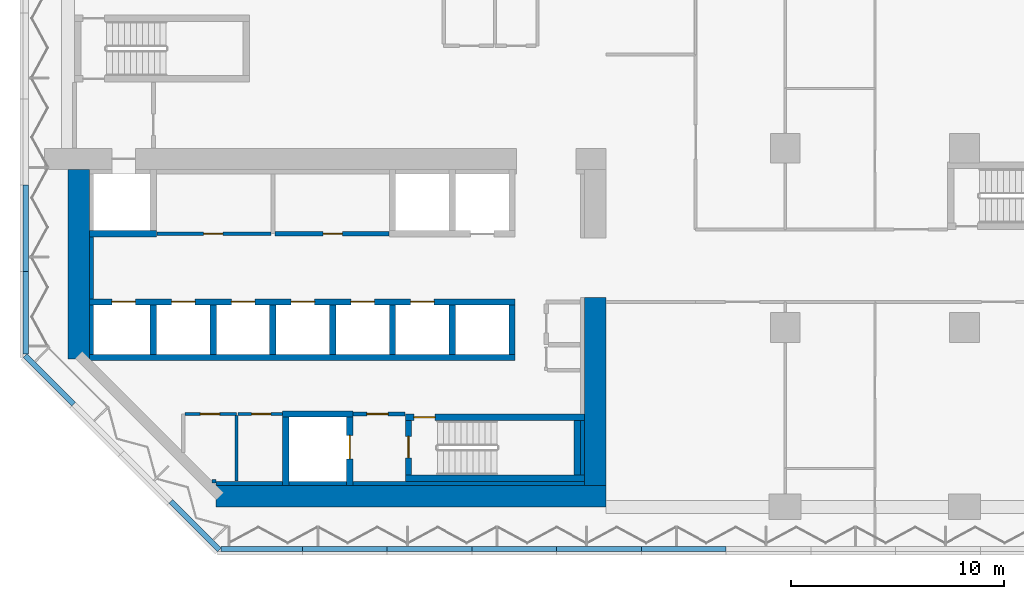
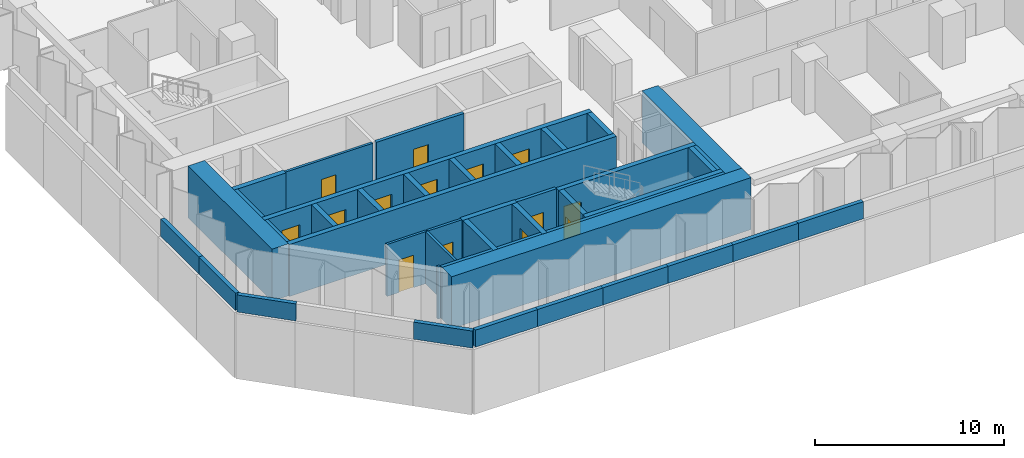
# One storey, part 9 of 24: 43 walls, 14 doors, 14 openings.
"""IFC4 building model written with IfcOpenShell, lengths in metres."""

from ifc_helpers import new_model, si_unit, direction, frame, frame_2d, origin, place, context, subcontext, project, spatial, rectangle, extrude, material, layer, layer_set, type_object, element, fill, save


model = new_model("IFC4")

# Units and contexts
model_context = context("Model", 3, precision=1e-05, world=origin(), true_north=direction((0.0, 1.0)))
body_context = subcontext(model_context, "Body", "Model", "MODEL_VIEW")
ifc_project = project(units=[si_unit("LENGTHUNIT", "METRE"), si_unit("AREAUNIT", "SQUARE_METRE"), si_unit("VOLUMEUNIT", "CUBIC_METRE"), si_unit("PLANEANGLEUNIT", "RADIAN"), si_unit("MASSUNIT", "GRAM", prefix="KILO")], contexts=[model_context])

# Site, building, storey
site_placement = place(None, origin())
site = spatial("IfcSite", under=ifc_project, at=site_placement, CompositionType="ELEMENT")
building_placement = place(site_placement, origin())
building = spatial("IfcBuilding", under=site, at=building_placement, Name="Brevane Broadcast Tower", CompositionType="ELEMENT")
storey_placement = place(building_placement, frame((0.0, 0.0, 36.5)))
storey = spatial("IfcBuildingStorey", under=building, at=storey_placement, Name="L06", CompositionType="ELEMENT", Elevation=36.5)

# Walls
ifc_material_1 = material(Name="Concrete C50/60", Category="concrete")
ifc_layer_1 = layer(ifc_material_1, 0.25)
ifc_layer_set_1 = layer_set([ifc_layer_1], Name="CORNICE PARAPET 1100")
wall_type_1 = type_object("IfcWallType", Name="CORNICE PARAPET 1100", PredefinedType="PARAPET", material=ifc_layer_set_1)
wall_1_placement = place(storey_placement, frame((30.8291015625, -1.97509765625, 0.0), z_axis=(0.0, 0.0, 1.0), x_axis=(-1.0, 0.0, 0.0)))
element("IfcWall", 1, at=wall_1_placement, inside=storey, type_object=wall_type_1, Name="Cornice parapet", PredefinedType="PARAPET", context=body_context, shape_type="SweptSolid", body=[
    extrude(rectangle(XDim=3.97119140625, YDim=0.25, at=frame_2d((1.985595703125, 0.0))), origin(), (0.0, 0.0, 1.0), 1.10009765625),
])
for number, where, z_axis, x_axis, name in (
    (2, (26.85791015625, -1.97509765625, 0.0), (0.0, 0.0, 1.0), (-1.0, 0.0, 0.0), "Cornice parapet"),
    (3, (22.886962890625, -1.97509765625, 0.0), (0.0, 0.0, 1.0), (-1.0, 0.0, 0.0), "Cornice parapet"),
    (4, (18.916015625, -1.97509765625, 0.0), (0.0, 0.0, 1.0), (-1.0, 0.0, 0.0), "Cornice parapet"),
    (5, (14.945068359375, -1.97509765625, 0.0), (0.0, 0.0, 1.0), (-1.0, 0.0, 0.0), "Cornice parapet"),
):
    element("IfcWall", number, at=place(storey_placement, frame(where, z_axis=z_axis, x_axis=x_axis)), inside=storey, type_object=wall_type_1, Name=name, PredefinedType="PARAPET", context=body_context, shape_type="SweptSolid", body=[
        extrude(rectangle(XDim=3.970947265625, YDim=0.25, at=frame_2d((1.9853515625, 0.0))), origin(), (0.0, 0.0, 1.0), 1.10009765625),
    ])
wall_2_placement = place(storey_placement, frame((10.97412109375, -1.97509765625, 0.0), z_axis=(0.0, 0.0, 1.0), x_axis=(-1.0, 0.0, 0.0)))
element("IfcWall", 6, at=wall_2_placement, inside=storey, type_object=wall_type_1, Name="Cornice parapet", PredefinedType="PARAPET", context=body_context, shape_type="SweptSolid", body=[
    extrude(rectangle(XDim=3.80126953125, YDim=0.25, at=frame_2d((1.900634765625, 0.0))), origin(), (0.0, 0.0, 1.0), 1.10009765625),
])
for number, where, z_axis, x_axis, name in (
    (7, (7.09130859375, -2.01171875, 0.0), (0.0, 0.0, 1.0), (-0.707068851361, 0.707144708978, 0.0), "Cornice parapet"),
    (8, (0.26416015625, 4.815673828125, 0.0), (0.0, 0.0, 1.0), (-0.707144708978, 0.707068851361, 0.0), "Cornice parapet"),
):
    element("IfcWall", number, at=place(storey_placement, frame(where, z_axis=z_axis, x_axis=x_axis)), inside=storey, type_object=wall_type_1, Name=name, PredefinedType="PARAPET", context=body_context, shape_type="SweptSolid", body=[
        extrude(rectangle(XDim=3.218505859375, YDim=0.25, at=frame_2d((1.609375, 0.0))), origin(), (0.0, 0.0, 1.0), 1.10009765625),
    ])
wall_3_placement = place(storey_placement, frame((-1.97509765625, 7.1728515625, 0.0), z_axis=(0.0, 0.0, 1.0), x_axis=(0.0, 1.0, 0.0)))
element("IfcWall", 9, at=wall_3_placement, inside=storey, type_object=wall_type_1, Name="Cornice parapet", PredefinedType="PARAPET", context=body_context, shape_type="SweptSolid", body=[
    extrude(rectangle(XDim=3.863037109375, YDim=0.25, at=frame_2d((1.931640625, 0.0))), origin(), (0.0, 0.0, 1.0), 1.10009765625),
])
wall_4_placement = place(storey_placement, frame((-1.97509765625, 11.035888671875, 0.0), z_axis=(0.0, 0.0, 1.0), x_axis=(0.0, 1.0, 0.0)))
element("IfcWall", 10, at=wall_4_placement, inside=storey, type_object=wall_type_1, Name="Cornice parapet", PredefinedType="PARAPET", context=body_context, shape_type="SweptSolid", body=[
    extrude(rectangle(XDim=4.03271484375, YDim=0.25, at=frame_2d((2.016357421875, 0.0))), origin(), (0.0, 0.0, 1.0), 1.10009765625),
])
ifc_material_2 = material(Name="Concrete C32/40", Category="concrete")
ifc_layer_2 = layer(ifc_material_2, 0.199951171875)
ifc_layer_set_2 = layer_set([ifc_layer_2], Name="Core chase wall 200 mm")
wall_type_2 = type_object("IfcWallType", Name="Core chase wall 200 mm", PredefinedType="PARTITIONING", material=ifc_layer_set_2)
wall_5_placement = place(storey_placement, frame((1.10009765625, 7.14990234375, 0.0), z_axis=(0.0, 0.0, 1.0), x_axis=(0.0, 1.0, 0.0)))
element("IfcWall", 11, at=wall_5_placement, inside=storey, type_object=wall_type_2, Name="L06 chase wall LW-2-1", PredefinedType="PARTITIONING", context=body_context, shape_type="SweptSolid", body=[
    extrude(rectangle(XDim=2.300048828125, YDim=0.199951171875, at=frame_2d((1.14990234375, 0.0))), origin(), (0.0, 0.0, 1.0), 3.35009765625),
])
wall_6_placement = place(storey_placement, frame((1.10009765625, 9.75, 0.0), z_axis=(0.0, 0.0, 1.0), x_axis=(0.0, 1.0, 0.0)))
element("IfcWall", 12, at=wall_6_placement, inside=storey, type_object=wall_type_2, Name="L06 chase wall LW-2-2-1", PredefinedType="PARTITIONING", context=body_context, shape_type="SweptSolid", body=[
    extrude(rectangle(XDim=2.89990234375, YDim=0.199951171875, at=frame_2d((1.449951171875, 0.0))), origin(), (0.0, 0.0, 1.0), 3.35009765625),
])
wall_7_placement = place(storey_placement, frame((6.936279296875, 1.10009765625, 0.0), z_axis=(0.0, 0.0, 1.0), x_axis=(1.0, 0.0, 0.0)))
element("IfcWall", 13, at=wall_7_placement, inside=storey, type_object=wall_type_2, Name="L06 chase wall LS-1", PredefinedType="PARTITIONING", context=body_context, shape_type="SweptSolid", body=[
    extrude(rectangle(XDim=3.11376953125, YDim=0.199951171875, at=frame_2d((1.556884765625, 0.0))), origin(), (0.0, 0.0, 1.0), 3.35009765625),
])
wall_8_placement = place(storey_placement, frame((10.35009765625, 1.10009765625, 0.0), z_axis=(0.0, 0.0, 1.0), x_axis=(1.0, 0.0, 0.0)))
element("IfcWall", 14, at=wall_8_placement, inside=storey, type_object=wall_type_2, Name="L06 chase wall LS-2-1", PredefinedType="PARTITIONING", context=body_context, shape_type="SweptSolid", body=[
    extrude(rectangle(XDim=2.699951171875, YDim=0.199951171875, at=frame_2d((1.35009765625, 0.0))), origin(), (0.0, 0.0, 1.0), 3.35009765625),
])
wall_9_placement = place(storey_placement, frame((13.35009765625, 1.10009765625, 0.0), z_axis=(0.0, 0.0, 1.0), x_axis=(1.0, 0.0, 0.0)))
element("IfcWall", 15, at=wall_9_placement, inside=storey, type_object=wall_type_2, Name="L06 chase wall LS-2-2", PredefinedType="PARTITIONING", context=body_context, shape_type="SweptSolid", body=[
    extrude(rectangle(XDim=10.849853515625, YDim=0.199951171875, at=frame_2d((5.4248046875, 0.0))), origin(), (0.0, 0.0, 1.0), 3.35009765625),
])
wall_10_placement = place(storey_placement, frame((24.10009765625, 1.5, 0.0), z_axis=(0.0, 0.0, 1.0), x_axis=(0.0, 1.0, 0.0)))
element("IfcWall", 16, at=wall_10_placement, inside=storey, type_object=wall_type_2, Name="L06 chase wall LE1-2-1", PredefinedType="PARTITIONING", context=body_context, shape_type="SweptSolid", body=[
    extrude(rectangle(XDim=2.550048828125, YDim=0.199951171875, at=frame_2d((1.27490234375, 0.0))), origin(), (0.0, 0.0, 1.0), 3.35009765625),
])

# Wall, opening, door
ifc_material_3 = material(Name="Gypsum board on steel studs", Category="steel")
ifc_layer_3 = layer(ifc_material_3, 0.14990234375)
ifc_layer_set_3 = layer_set([ifc_layer_3], Name="Core fire partition 150 mm")
wall_type_3 = type_object("IfcWallType", Name="Core fire partition 150 mm", PredefinedType="PARTITIONING", material=ifc_layer_set_3)
wall_11_placement = place(storey_placement, frame((4.162109375, 12.800048828125, 0.0), z_axis=(0.0, 0.0, 1.0), x_axis=(1.0, 0.0, 0.0)))
wall_11 = element("IfcWall", 17, at=wall_11_placement, inside=storey, type_object=wall_type_3, Name="L06 partition wall P09", PredefinedType="PARTITIONING", context=body_context, shape_type="SweptSolid", body=[
    extrude(rectangle(XDim=5.337890625, YDim=0.14990234375, at=frame_2d((2.6689453125, 0.0))), origin(), (0.0, 0.0, 1.0), 3.35009765625),
])
opening_1_placement = place(wall_11_placement, frame((2.18798828125, 0.0, 0.0)))
opening_1 = element("IfcOpeningElement", 18, at=opening_1_placement, cuts=wall_11, Name="Opening L06-K21", PredefinedType="OPENING", context=body_context, shape_type="SweptSolid", body=[
    extrude(rectangle(XDim=0.89990234375, YDim=2.10009765625, at=frame_2d((0.449951171875, 1.050048828125))), frame((0.0, 0.0849609375, 0.0), z_axis=(0.0, -1.0, 0.0), x_axis=(1.0, 0.0, 0.0)), (0.0, 0.0, 1.0), 0.169921875),
])
ifc_material_4 = material(Name="Steel", Category="steel")
door_type_1 = type_object("IfcDoorType", Name="Service room door 900 x 2100", OperationType="SINGLE_SWING_LEFT", PredefinedType="DOOR", material=ifc_material_4)
door_1_placement = place(opening_1_placement, origin())
door_1 = element("IfcDoor", 19, at=door_1_placement, inside=storey, type_object=door_type_1, Name="Door L06-K21", OperationType="SINGLE_SWING_LEFT", OverallHeight=2.10009765625, OverallWidth=0.89990234375, PredefinedType="DOOR", context=body_context, shape_type="SweptSolid", body=[
    extrude(rectangle(XDim=0.89990234375, YDim=2.10009765625, at=frame_2d((0.449951171875, 1.050048828125))), frame((0.0, 0.02490234375, 0.0), z_axis=(0.0, -1.0, 0.0), x_axis=(1.0, 0.0, 0.0)), (0.0, 0.0, 1.0), 0.050048828125),
])
fill(opening_1, door_1)

wall_12_placement = place(storey_placement, frame((5.47509765625, 4.35009765625, 0.0), z_axis=(0.0, 0.0, 1.0), x_axis=(1.0, 0.0, 0.0)))
wall_12 = element("IfcWall", 20, at=wall_12_placement, inside=storey, type_object=wall_type_3, Name="L06 partition wall P11", PredefinedType="PARTITIONING", context=body_context, shape_type="SweptSolid", body=[
    extrude(rectangle(XDim=2.4248046875, YDim=0.14990234375, at=frame_2d((1.21240234375, 0.0))), origin(), (0.0, 0.0, 1.0), 3.35009765625),
])
opening_2_placement = place(wall_12_placement, frame((0.72509765625, 0.0, 0.0)))
opening_2 = element("IfcOpeningElement", 21, at=opening_2_placement, cuts=wall_12, Name="Opening L06-K16", PredefinedType="OPENING", context=body_context, shape_type="SweptSolid", body=[
    extrude(rectangle(XDim=0.89990234375, YDim=2.10009765625, at=frame_2d((0.449951171875, 1.050048828125))), frame((0.0, 0.0849609375, 0.0), z_axis=(0.0, -1.0, 0.0), x_axis=(1.0, 0.0, 0.0)), (0.0, 0.0, 1.0), 0.169921875),
])
ifc_material_5 = material(Name="Timber", Category="wood")
door_type_2 = type_object("IfcDoorType", Name="Toilet door 900 x 2100", OperationType="SINGLE_SWING_LEFT", PredefinedType="DOOR", material=ifc_material_5)
door_2_placement = place(opening_2_placement, origin())
door_2 = element("IfcDoor", 22, at=door_2_placement, inside=storey, type_object=door_type_2, Name="Door L06-K16", OperationType="SINGLE_SWING_RIGHT", OverallHeight=2.10009765625, OverallWidth=0.89990234375, PredefinedType="DOOR", context=body_context, shape_type="SweptSolid", body=[
    extrude(rectangle(XDim=0.89990234375, YDim=2.10009765625, at=frame_2d((0.449951171875, 1.050048828125))), frame((0.0, 0.02490234375, 0.0), z_axis=(0.0, -1.0, 0.0), x_axis=(1.0, 0.0, 0.0)), (0.0, 0.0, 1.0), 0.050048828125),
])
fill(opening_2, door_2)

# Walls
wall_13_placement = place(storey_placement, frame((7.89990234375, 4.27490234375, 0.0), z_axis=(0.0, 0.0, 1.0), x_axis=(0.0, -1.0, 0.0)))
element("IfcWall", 23, at=wall_13_placement, inside=storey, type_object=wall_type_3, Name="L06 partition wall P12", PredefinedType="PARTITIONING", context=body_context, shape_type="SweptSolid", body=[
    extrude(rectangle(XDim=3.06298828125, YDim=0.14990234375, at=frame_2d((1.531494140625, 0.0))), origin(), (0.0, 0.0, 1.0), 3.35009765625),
])
wall_14_placement = place(storey_placement, frame((6.92431640625, 1.199951171875, 0.0), z_axis=(0.0, 0.0, 1.0), x_axis=(-1.0, 0.0, 0.0)))
element("IfcWall", 24, at=wall_14_placement, inside=storey, type_object=wall_type_3, Name="L06 partition wall P13", PredefinedType="PARTITIONING", context=body_context, shape_type="SweptSolid", body=[
    extrude(rectangle(XDim=0.1708984375, YDim=0.14990234375, at=frame_2d((0.08544921875, 0.0))), origin(), (0.0, 0.0, 1.0), 3.35009765625),
])

# Wall, opening, door
wall_15_placement = place(storey_placement, frame((10.0380859375, 4.35009765625, 0.0), z_axis=(0.0, 0.0, 1.0), x_axis=(-1.0, 0.0, 0.0)))
wall_15 = element("IfcWall", 25, at=wall_15_placement, inside=storey, type_object=wall_type_3, Name="L06 partition wall P14", PredefinedType="PARTITIONING", context=body_context, shape_type="SweptSolid", body=[
    extrude(rectangle(XDim=2.06298828125, YDim=0.14990234375, at=frame_2d((1.031494140625, 0.0))), origin(), (0.0, 0.0, 1.0), 3.35009765625),
])
opening_3_placement = place(wall_15_placement, frame((0.5380859375, 0.0, 0.0)))
opening_3 = element("IfcOpeningElement", 26, at=opening_3_placement, cuts=wall_15, Name="Opening L06-K17", PredefinedType="OPENING", context=body_context, shape_type="SweptSolid", body=[
    extrude(rectangle(XDim=0.89990234375, YDim=2.10009765625, at=frame_2d((0.449951171875, 1.050048828125))), frame((0.0, 0.0849609375, 0.0), z_axis=(0.0, -1.0, 0.0), x_axis=(1.0, 0.0, 0.0)), (0.0, 0.0, 1.0), 0.169921875),
])
door_3_placement = place(opening_3_placement, origin())
door_3 = element("IfcDoor", 27, at=door_3_placement, inside=storey, type_object=door_type_2, Name="Door L06-K17", OperationType="SINGLE_SWING_LEFT", OverallHeight=2.10009765625, OverallWidth=0.89990234375, PredefinedType="DOOR", context=body_context, shape_type="SweptSolid", body=[
    extrude(rectangle(XDim=0.89990234375, YDim=2.10009765625, at=frame_2d((0.449951171875, 1.050048828125))), frame((0.0, 0.02490234375, 0.0), z_axis=(0.0, -1.0, 0.0), x_axis=(1.0, 0.0, 0.0)), (0.0, 0.0, 1.0), 0.050048828125),
])
fill(opening_3, door_3)

ifc_layer_4 = layer(ifc_material_3, 0.199951171875)
ifc_layer_set_4 = layer_set([ifc_layer_4], Name="Core fire partition 200 mm")
wall_type_4 = type_object("IfcWallType", Name="Core fire partition 200 mm", PredefinedType="PARTITIONING", material=ifc_layer_set_4)
wall_16_placement = place(storey_placement, frame((13.362060546875, 4.35009765625, 0.0), z_axis=(0.0, 0.0, 1.0), x_axis=(1.0, 0.0, 0.0)))
wall_16 = element("IfcWall", 28, at=wall_16_placement, inside=storey, type_object=wall_type_4, Name="L06 partition wall P03", PredefinedType="PARTITIONING", context=body_context, shape_type="SweptSolid", body=[
    extrude(rectangle(XDim=2.426025390625, YDim=0.199951171875, at=frame_2d((1.212890625, 0.0))), origin(), (0.0, 0.0, 1.0), 3.35009765625),
])
opening_4_placement = place(wall_16_placement, frame((0.637939453125, 0.0, 0.0)))
opening_4 = element("IfcOpeningElement", 29, at=opening_4_placement, cuts=wall_16, Name="Opening L06-K18", PredefinedType="OPENING", context=body_context, shape_type="SweptSolid", body=[
    extrude(rectangle(XDim=1.0, YDim=2.10009765625, at=frame_2d((0.5, 1.050048828125))), frame((0.0, 0.10986328125, 0.0), z_axis=(0.0, -1.0, 0.0), x_axis=(1.0, 0.0, 0.0)), (0.0, 0.0, 1.0), 0.219970703125),
])
door_type_3 = type_object("IfcDoorType", Name="Stair door 1000 x 2100", OperationType="SINGLE_SWING_LEFT", PredefinedType="DOOR", material=ifc_material_4)
door_4_placement = place(opening_4_placement, origin())
door_4 = element("IfcDoor", 30, at=door_4_placement, inside=storey, type_object=door_type_3, Name="Door L06-K18", OperationType="SINGLE_SWING_RIGHT", OverallHeight=2.10009765625, OverallWidth=1.0, PredefinedType="DOOR", context=body_context, shape_type="SweptSolid", body=[
    extrude(rectangle(XDim=1.0, YDim=2.10009765625, at=frame_2d((0.5, 1.050048828125))), frame((0.0, 0.02490234375, 0.0), z_axis=(0.0, -1.0, 0.0), x_axis=(1.0, 0.0, 0.0)), (0.0, 0.0, 1.0), 0.050048828125),
])
fill(opening_4, door_4)

wall_17_placement = place(storey_placement, frame((9.699951171875, 12.800048828125, 0.0), z_axis=(0.0, 0.0, 1.0), x_axis=(1.0, 0.0, 0.0)))
wall_17 = element("IfcWall", 31, at=wall_17_placement, inside=storey, type_object=wall_type_4, Name="L06 partition wall P05", PredefinedType="PARTITIONING", context=body_context, shape_type="SweptSolid", body=[
    extrude(rectangle(XDim=5.338134765625, YDim=0.199951171875, at=frame_2d((2.6689453125, 0.0))), origin(), (0.0, 0.0, 1.0), 3.35009765625),
])
opening_5_placement = place(wall_17_placement, frame((2.25, 0.0, 0.0)))
opening_5 = element("IfcOpeningElement", 32, at=opening_5_placement, cuts=wall_17, Name="Opening L06-K22", PredefinedType="OPENING", context=body_context, shape_type="SweptSolid", body=[
    extrude(rectangle(XDim=0.89990234375, YDim=2.10009765625, at=frame_2d((0.449951171875, 1.050048828125))), frame((0.0, 0.10986328125, 0.0), z_axis=(0.0, -1.0, 0.0), x_axis=(1.0, 0.0, 0.0)), (0.0, 0.0, 1.0), 0.219970703125),
])
door_5_placement = place(opening_5_placement, origin())
door_5 = element("IfcDoor", 33, at=door_5_placement, inside=storey, type_object=door_type_1, Name="Door L06-K22", OperationType="SINGLE_SWING_RIGHT", OverallHeight=2.10009765625, OverallWidth=0.89990234375, PredefinedType="DOOR", context=body_context, shape_type="SweptSolid", body=[
    extrude(rectangle(XDim=0.89990234375, YDim=2.10009765625, at=frame_2d((0.449951171875, 1.050048828125))), frame((0.0, 0.02490234375, 0.0), z_axis=(0.0, -1.0, 0.0), x_axis=(1.0, 0.0, 0.0)), (0.0, 0.0, 1.0), 0.050048828125),
])
fill(opening_5, door_5)

# Walls
ifc_material_6 = material(Name="Concrete C80/95", Category="concrete")
ifc_layer_5 = layer(ifc_material_6, 1.0)
ifc_layer_set_5 = layer_set([ifc_layer_5], Name="Core wall 1000 mm C80/95")
wall_type_5 = type_object("IfcWallType", Name="Core wall 1000 mm C80/95", PredefinedType="SHEAR", material=ifc_layer_set_5)
wall_18_placement = place(storey_placement, frame((6.936279296875, 0.5, 0.0), z_axis=(0.0, 0.0, 1.0), x_axis=(1.0, 0.0, 0.0)))
element("IfcWall", 34, at=wall_18_placement, inside=storey, type_object=wall_type_5, Name="L06 outer wall WS", PredefinedType="SHEAR", context=body_context, shape_type="SweptSolid", body=[
    extrude(rectangle(XDim=18.263671875, YDim=1.0, at=frame_2d((9.1318359375, 0.0))), origin(), (0.0, 0.0, 1.0), 3.35009765625),
])
wall_19_placement = place(storey_placement, frame((0.5, 6.936279296875, 0.0), z_axis=(0.0, 0.0, 1.0), x_axis=(0.0, 1.0, 0.0)))
element("IfcWall", 35, at=wall_19_placement, inside=storey, type_object=wall_type_5, Name="L06 outer wall WW", PredefinedType="SHEAR", context=body_context, shape_type="SweptSolid", body=[
    extrude(rectangle(XDim=8.86376953125, YDim=1.0, at=frame_2d((4.431884765625, 0.0))), origin(), (0.0, 0.0, 1.0), 3.35009765625),
])
wall_20_placement = place(storey_placement, frame((24.699951171875, 1.0, 0.0), z_axis=(0.0, 0.0, 1.0), x_axis=(0.0, 1.0, 0.0)))
element("IfcWall", 36, at=wall_20_placement, inside=storey, type_object=wall_type_5, Name="L06 outer wall WE1", PredefinedType="SHEAR", context=body_context, shape_type="SweptSolid", body=[
    extrude(rectangle(XDim=8.800048828125, YDim=1.0, at=frame_2d((4.39990234375, 0.0))), origin(), (0.0, 0.0, 1.0), 3.35009765625),
])
ifc_layer_6 = layer(ifc_material_6, 0.300048828125)
ifc_layer_set_6 = layer_set([ifc_layer_6], Name="Core wall 300 mm C80/95")
wall_type_6 = type_object("IfcWallType", Name="Core wall 300 mm C80/95", PredefinedType="SHEAR", material=ifc_layer_set_6)
wall_21_placement = place(storey_placement, frame((1.0, 7.0, 0.0), z_axis=(0.0, 0.0, 1.0), x_axis=(1.0, 0.0, 0.0)))
element("IfcWall", 37, at=wall_21_placement, inside=storey, type_object=wall_type_6, Name="L06 shaft wall SH-S012-back", PredefinedType="SHEAR", context=body_context, shape_type="SweptSolid", body=[
    extrude(rectangle(XDim=19.949951171875, YDim=0.300048828125, at=frame_2d((9.97509765625, 0.0))), origin(), (0.0, 0.0, 1.0), 3.35009765625),
])

# Wall, openings, doors
wall_22_placement = place(storey_placement, frame((1.0, 9.60009765625, 0.0), z_axis=(0.0, 0.0, 1.0), x_axis=(1.0, 0.0, 0.0)))
wall_22 = element("IfcWall", 38, at=wall_22_placement, inside=storey, type_object=wall_type_6, Name="L06 shaft wall SH-S012-front", PredefinedType="SHEAR", context=body_context, shape_type="SweptSolid", body=[
    extrude(rectangle(XDim=19.949951171875, YDim=0.300048828125, at=frame_2d((9.97509765625, 0.0))), origin(), (0.0, 0.0, 1.0), 3.35009765625),
])
opening_6_placement = place(wall_22_placement, frame((1.050048828125, 0.0, 0.0)))
opening_6 = element("IfcOpeningElement", 39, at=opening_6_placement, cuts=wall_22, Name="Opening LD", PredefinedType="OPENING", context=body_context, shape_type="SweptSolid", body=[
    extrude(rectangle(XDim=1.10009765625, YDim=2.300048828125, at=frame_2d((0.550048828125, 1.14990234375))), frame((0.0, 0.159912109375, 0.0), z_axis=(0.0, -1.0, 0.0), x_axis=(1.0, 0.0, 0.0)), (0.0, 0.0, 1.0), 0.320068359375),
])
opening_7_placement = place(wall_22_placement, frame((3.85009765625, 0.0, 0.0)))
opening_7 = element("IfcOpeningElement", 40, at=opening_7_placement, cuts=wall_22, Name="Opening LD", PredefinedType="OPENING", context=body_context, shape_type="SweptSolid", body=[
    extrude(rectangle(XDim=1.10009765625, YDim=2.300048828125, at=frame_2d((0.550048828125, 1.14990234375))), frame((0.0, 0.159912109375, 0.0), z_axis=(0.0, -1.0, 0.0), x_axis=(1.0, 0.0, 0.0)), (0.0, 0.0, 1.0), 0.320068359375),
])
opening_8_placement = place(wall_22_placement, frame((6.64990234375, 0.0, 0.0)))
opening_8 = element("IfcOpeningElement", 41, at=opening_8_placement, cuts=wall_22, Name="Opening LD", PredefinedType="OPENING", context=body_context, shape_type="SweptSolid", body=[
    extrude(rectangle(XDim=1.10009765625, YDim=2.300048828125, at=frame_2d((0.550048828125, 1.14990234375))), frame((0.0, 0.159912109375, 0.0), z_axis=(0.0, -1.0, 0.0), x_axis=(1.0, 0.0, 0.0)), (0.0, 0.0, 1.0), 0.320068359375),
])
opening_9_placement = place(wall_22_placement, frame((9.449951171875, 0.0, 0.0)))
opening_9 = element("IfcOpeningElement", 42, at=opening_9_placement, cuts=wall_22, Name="Opening LD", PredefinedType="OPENING", context=body_context, shape_type="SweptSolid", body=[
    extrude(rectangle(XDim=1.10009765625, YDim=2.300048828125, at=frame_2d((0.550048828125, 1.14990234375))), frame((0.0, 0.159912109375, 0.0), z_axis=(0.0, -1.0, 0.0), x_axis=(1.0, 0.0, 0.0)), (0.0, 0.0, 1.0), 0.320068359375),
])
opening_10_placement = place(wall_22_placement, frame((12.25, 0.0, 0.0)))
opening_10 = element("IfcOpeningElement", 43, at=opening_10_placement, cuts=wall_22, Name="Opening LD", PredefinedType="OPENING", context=body_context, shape_type="SweptSolid", body=[
    extrude(rectangle(XDim=1.10009765625, YDim=2.300048828125, at=frame_2d((0.550048828125, 1.14990234375))), frame((0.0, 0.159912109375, 0.0), z_axis=(0.0, -1.0, 0.0), x_axis=(1.0, 0.0, 0.0)), (0.0, 0.0, 1.0), 0.320068359375),
])
opening_11_placement = place(wall_22_placement, frame((15.050048828125, 0.0, 0.0)))
opening_11 = element("IfcOpeningElement", 44, at=opening_11_placement, cuts=wall_22, Name="Opening LD", PredefinedType="OPENING", context=body_context, shape_type="SweptSolid", body=[
    extrude(rectangle(XDim=1.10009765625, YDim=2.300048828125, at=frame_2d((0.550048828125, 1.14990234375))), frame((0.0, 0.159912109375, 0.0), z_axis=(0.0, -1.0, 0.0), x_axis=(1.0, 0.0, 0.0)), (0.0, 0.0, 1.0), 0.320068359375),
])
ifc_material_7 = material(Name="Stainless steel", Category="steel")
door_type_4 = type_object("IfcDoorType", Name="Lift landing door", OperationType="SLIDING_TO_LEFT", PredefinedType="DOOR", material=ifc_material_7)
door_6_placement = place(opening_6_placement, origin())
door_6 = element("IfcDoor", 45, at=door_6_placement, inside=storey, type_object=door_type_4, Name="Landing door LR1 L06", OperationType="SLIDING_TO_LEFT", OverallHeight=2.300048828125, OverallWidth=1.10009765625, PredefinedType="DOOR", context=body_context, shape_type="SweptSolid", body=[
    extrude(rectangle(XDim=1.10009765625, YDim=2.300048828125, at=frame_2d((0.550048828125, 1.14990234375))), frame((0.0, 0.02490234375, 0.0), z_axis=(0.0, -1.0, 0.0), x_axis=(1.0, 0.0, 0.0)), (0.0, 0.0, 1.0), 0.050048828125),
])
fill(opening_6, door_6)
door_7_placement = place(opening_7_placement, origin())
door_7 = element("IfcDoor", 46, at=door_7_placement, inside=storey, type_object=door_type_4, Name="Landing door LR2 L06", OperationType="SLIDING_TO_LEFT", OverallHeight=2.300048828125, OverallWidth=1.10009765625, PredefinedType="DOOR", context=body_context, shape_type="SweptSolid", body=[
    extrude(rectangle(XDim=1.10009765625, YDim=2.300048828125, at=frame_2d((0.550048828125, 1.14990234375))), frame((0.0, 0.02490234375, 0.0), z_axis=(0.0, -1.0, 0.0), x_axis=(1.0, 0.0, 0.0)), (0.0, 0.0, 1.0), 0.050048828125),
])
fill(opening_7, door_7)
door_8_placement = place(opening_8_placement, origin())
door_8 = element("IfcDoor", 47, at=door_8_placement, inside=storey, type_object=door_type_4, Name="Landing door LR3 L06", OperationType="SLIDING_TO_LEFT", OverallHeight=2.300048828125, OverallWidth=1.10009765625, PredefinedType="DOOR", context=body_context, shape_type="SweptSolid", body=[
    extrude(rectangle(XDim=1.10009765625, YDim=2.300048828125, at=frame_2d((0.550048828125, 1.14990234375))), frame((0.0, 0.02490234375, 0.0), z_axis=(0.0, -1.0, 0.0), x_axis=(1.0, 0.0, 0.0)), (0.0, 0.0, 1.0), 0.050048828125),
])
fill(opening_8, door_8)
door_9_placement = place(opening_9_placement, origin())
door_9 = element("IfcDoor", 48, at=door_9_placement, inside=storey, type_object=door_type_4, Name="Landing door LR4 L06", OperationType="SLIDING_TO_LEFT", OverallHeight=2.300048828125, OverallWidth=1.10009765625, PredefinedType="DOOR", context=body_context, shape_type="SweptSolid", body=[
    extrude(rectangle(XDim=1.10009765625, YDim=2.300048828125, at=frame_2d((0.550048828125, 1.14990234375))), frame((0.0, 0.02490234375, 0.0), z_axis=(0.0, -1.0, 0.0), x_axis=(1.0, 0.0, 0.0)), (0.0, 0.0, 1.0), 0.050048828125),
])
fill(opening_9, door_9)
door_10_placement = place(opening_10_placement, origin())
door_10 = element("IfcDoor", 49, at=door_10_placement, inside=storey, type_object=door_type_4, Name="Landing door LR5 L06", OperationType="SLIDING_TO_LEFT", OverallHeight=2.300048828125, OverallWidth=1.10009765625, PredefinedType="DOOR", context=body_context, shape_type="SweptSolid", body=[
    extrude(rectangle(XDim=1.10009765625, YDim=2.300048828125, at=frame_2d((0.550048828125, 1.14990234375))), frame((0.0, 0.02490234375, 0.0), z_axis=(0.0, -1.0, 0.0), x_axis=(1.0, 0.0, 0.0)), (0.0, 0.0, 1.0), 0.050048828125),
])
fill(opening_10, door_10)
door_11_placement = place(opening_11_placement, origin())
door_11 = element("IfcDoor", 50, at=door_11_placement, inside=storey, type_object=door_type_4, Name="Landing door LR6 L06", OperationType="SLIDING_TO_LEFT", OverallHeight=2.300048828125, OverallWidth=1.10009765625, PredefinedType="DOOR", context=body_context, shape_type="SweptSolid", body=[
    extrude(rectangle(XDim=1.10009765625, YDim=2.300048828125, at=frame_2d((0.550048828125, 1.14990234375))), frame((0.0, 0.02490234375, 0.0), z_axis=(0.0, -1.0, 0.0), x_axis=(1.0, 0.0, 0.0)), (0.0, 0.0, 1.0), 0.050048828125),
])
fill(opening_11, door_11)

# Walls
for number, where, z_axis, x_axis, name in (
    (51, (4.0, 7.14990234375, 0.0), (0.0, 0.0, 1.0), (0.0, 1.0, 0.0), "L06 shaft wall SH-S-P040"),
    (52, (6.800048828125, 7.14990234375, 0.0), (0.0, 0.0, 1.0), (0.0, 1.0, 0.0), "L06 shaft wall SH-S-P068"),
    (53, (9.60009765625, 7.14990234375, 0.0), (0.0, 0.0, 1.0), (0.0, 1.0, 0.0), "L06 shaft wall SH-S-P096"),
    (54, (12.39990234375, 7.14990234375, 0.0), (0.0, 0.0, 1.0), (0.0, 1.0, 0.0), "L06 shaft wall SH-S-P124"),
    (55, (15.199951171875, 7.14990234375, 0.0), (0.0, 0.0, 1.0), (0.0, 1.0, 0.0), "L06 shaft wall SH-S-P152"),
    (56, (18.0, 7.14990234375, 0.0), (0.0, 0.0, 1.0), (0.0, 1.0, 0.0), "L06 shaft wall SH-S-P180"),
    (57, (20.800048828125, 7.14990234375, 0.0), (0.0, 0.0, 1.0), (0.0, 1.0, 0.0), "L06 shaft wall SH-S-P208"),
):
    element("IfcWall", number, at=place(storey_placement, frame(where, z_axis=z_axis, x_axis=x_axis)), inside=storey, type_object=wall_type_6, Name=name, PredefinedType="SHEAR", context=body_context, shape_type="SweptSolid", body=[
        extrude(rectangle(XDim=2.300048828125, YDim=0.300048828125, at=frame_2d((1.14990234375, 0.0))), origin(), (0.0, 0.0, 1.0), 3.35009765625),
    ])
wall_23_placement = place(storey_placement, frame((1.0, 12.800048828125, 0.0), z_axis=(0.0, 0.0, 1.0), x_axis=(1.0, 0.0, 0.0)))
element("IfcWall", 58, at=wall_23_placement, inside=storey, type_object=wall_type_6, Name="L06 shaft wall SH-N012-front", PredefinedType="SHEAR", context=body_context, shape_type="SweptSolid", body=[
    extrude(rectangle(XDim=3.14990234375, YDim=0.300048828125, at=frame_2d((1.574951171875, 0.0))), origin(), (0.0, 0.0, 1.0), 3.35009765625),
])
wall_24_placement = place(storey_placement, frame((10.199951171875, 1.0, 0.0), z_axis=(0.0, 0.0, 1.0), x_axis=(0.0, 1.0, 0.0)))
element("IfcWall", 59, at=wall_24_placement, inside=storey, type_object=wall_type_6, Name="L06 shaft wall FF2-W", PredefinedType="SHEAR", context=body_context, shape_type="SweptSolid", body=[
    extrude(rectangle(XDim=3.199951171875, YDim=0.300048828125, at=frame_2d((1.60009765625, 0.0))), origin(), (0.0, 0.0, 1.0), 3.35009765625),
])

# Wall, opening, door
wall_25_placement = place(storey_placement, frame((13.199951171875, 1.0, 0.0), z_axis=(0.0, 0.0, 1.0), x_axis=(0.0, 1.0, 0.0)))
wall_25 = element("IfcWall", 60, at=wall_25_placement, inside=storey, type_object=wall_type_6, Name="L06 shaft wall FF2-E", PredefinedType="SHEAR", context=body_context, shape_type="SweptSolid", body=[
    extrude(rectangle(XDim=3.199951171875, YDim=0.300048828125, at=frame_2d((1.60009765625, 0.0))), origin(), (0.0, 0.0, 1.0), 3.35009765625),
])
opening_12_placement = place(wall_25_placement, frame((1.25, 0.0, 0.0)))
opening_12 = element("IfcOpeningElement", 61, at=opening_12_placement, cuts=wall_25, Name="Opening LD", PredefinedType="OPENING", context=body_context, shape_type="SweptSolid", body=[
    extrude(rectangle(XDim=1.10009765625, YDim=2.300048828125, at=frame_2d((0.550048828125, 1.14990234375))), frame((0.0, 0.159912109375, 0.0), z_axis=(0.0, -1.0, 0.0), x_axis=(1.0, 0.0, 0.0)), (0.0, 0.0, 1.0), 0.320068359375),
])
door_12_placement = place(opening_12_placement, origin())
door_12 = element("IfcDoor", 62, at=door_12_placement, inside=storey, type_object=door_type_4, Name="Landing door FF2 L06", OperationType="SLIDING_TO_LEFT", OverallHeight=2.300048828125, OverallWidth=1.10009765625, PredefinedType="DOOR", context=body_context, shape_type="SweptSolid", body=[
    extrude(rectangle(XDim=1.10009765625, YDim=2.300048828125, at=frame_2d((0.550048828125, 1.14990234375))), frame((0.0, 0.02490234375, 0.0), z_axis=(0.0, -1.0, 0.0), x_axis=(1.0, 0.0, 0.0)), (0.0, 0.0, 1.0), 0.050048828125),
])
fill(opening_12, door_12)

# Walls
wall_26_placement = place(storey_placement, frame((10.050048828125, 4.35009765625, 0.0), z_axis=(0.0, 0.0, 1.0), x_axis=(1.0, 0.0, 0.0)))
element("IfcWall", 63, at=wall_26_placement, inside=storey, type_object=wall_type_6, Name="L06 shaft wall FF2-N", PredefinedType="SHEAR", context=body_context, shape_type="SweptSolid", body=[
    extrude(rectangle(XDim=3.300048828125, YDim=0.300048828125, at=frame_2d((1.64990234375, 0.0))), origin(), (0.0, 0.0, 1.0), 3.35009765625),
])
wall_27_placement = place(storey_placement, frame((15.800048828125, 1.35009765625, 0.0), z_axis=(0.0, 0.0, 1.0), x_axis=(1.0, 0.0, 0.0)))
element("IfcWall", 64, at=wall_27_placement, inside=storey, type_object=wall_type_6, Name="L06 stair wall ST-2-S", PredefinedType="SHEAR", context=body_context, shape_type="SweptSolid", body=[
    extrude(rectangle(XDim=8.39990234375, YDim=0.300048828125, at=frame_2d((4.199951171875, 0.0))), origin(), (0.0, 0.0, 1.0), 3.35009765625),
])

# Wall, opening, door
wall_28_placement = place(storey_placement, frame((15.800048828125, 4.199951171875, 0.0), z_axis=(0.0, 0.0, 1.0), x_axis=(1.0, 0.0, 0.0)))
wall_28 = element("IfcWall", 65, at=wall_28_placement, inside=storey, type_object=wall_type_6, Name="L06 stair wall ST-2-N", PredefinedType="SHEAR", context=body_context, shape_type="SweptSolid", body=[
    extrude(rectangle(XDim=8.39990234375, YDim=0.300048828125, at=frame_2d((4.199951171875, 0.0))), origin(), (0.0, 0.0, 1.0), 3.35009765625),
])
opening_13_placement = place(wall_28_placement, frame((0.39990234375, 0.0, 0.0)))
opening_13 = element("IfcOpeningElement", 66, at=opening_13_placement, cuts=wall_28, Name="Opening L06-K13", PredefinedType="OPENING", context=body_context, shape_type="SweptSolid", body=[
    extrude(rectangle(XDim=1.0, YDim=2.10009765625, at=frame_2d((0.5, 1.050048828125))), frame((0.0, 0.159912109375, 0.0), z_axis=(0.0, -1.0, 0.0), x_axis=(1.0, 0.0, 0.0)), (0.0, 0.0, 1.0), 0.320068359375),
])
door_13_placement = place(opening_13_placement, origin())
door_13 = element("IfcDoor", 67, at=door_13_placement, inside=storey, type_object=door_type_3, Name="Door L06-K13", OperationType="SINGLE_SWING_LEFT", OverallHeight=2.10009765625, OverallWidth=1.0, PredefinedType="DOOR", context=body_context, shape_type="SweptSolid", body=[
    extrude(rectangle(XDim=1.0, YDim=2.10009765625, at=frame_2d((0.5, 1.050048828125))), frame((0.0, 0.02490234375, 0.0), z_axis=(0.0, -1.0, 0.0), x_axis=(1.0, 0.0, 0.0)), (0.0, 0.0, 1.0), 0.050048828125),
])
fill(opening_13, door_13)

wall_29_placement = place(storey_placement, frame((15.949951171875, 1.5, 0.0), z_axis=(0.0, 0.0, 1.0), x_axis=(0.0, 1.0, 0.0)))
wall_29 = element("IfcWall", 68, at=wall_29_placement, inside=storey, type_object=wall_type_6, Name="L06 stair wall ST-2-W", PredefinedType="SHEAR", context=body_context, shape_type="SweptSolid", body=[
    extrude(rectangle(XDim=2.550048828125, YDim=0.300048828125, at=frame_2d((1.27490234375, 0.0))), origin(), (0.0, 0.0, 1.0), 3.35009765625),
])
opening_14_placement = place(wall_29_placement, frame((0.800048828125, 0.0, 0.0)))
opening_14 = element("IfcOpeningElement", 69, at=opening_14_placement, cuts=wall_29, Name="Opening L06-K12", PredefinedType="OPENING", context=body_context, shape_type="SweptSolid", body=[
    extrude(rectangle(XDim=1.0, YDim=2.10009765625, at=frame_2d((0.5, 1.050048828125))), frame((0.0, 0.159912109375, 0.0), z_axis=(0.0, -1.0, 0.0), x_axis=(1.0, 0.0, 0.0)), (0.0, 0.0, 1.0), 0.320068359375),
])
door_14_placement = place(opening_14_placement, origin())
door_14 = element("IfcDoor", 70, at=door_14_placement, inside=storey, type_object=door_type_3, Name="Door L06-K12", OperationType="SINGLE_SWING_RIGHT", OverallHeight=2.10009765625, OverallWidth=1.0, PredefinedType="DOOR", context=body_context, shape_type="SweptSolid", body=[
    extrude(rectangle(XDim=1.0, YDim=2.10009765625, at=frame_2d((0.5, 1.050048828125))), frame((0.0, 0.02490234375, 0.0), z_axis=(0.0, -1.0, 0.0), x_axis=(1.0, 0.0, 0.0)), (0.0, 0.0, 1.0), 0.050048828125),
])
fill(opening_14, door_14)

# Wall
wall_30_placement = place(storey_placement, frame((23.85009765625, 1.5, 0.0), z_axis=(0.0, 0.0, 1.0), x_axis=(0.0, 1.0, 0.0)))
element("IfcWall", 71, at=wall_30_placement, inside=storey, type_object=wall_type_6, Name="L06 stair wall ST-2-E", PredefinedType="SHEAR", context=body_context, shape_type="SweptSolid", body=[
    extrude(rectangle(XDim=2.550048828125, YDim=0.300048828125, at=frame_2d((1.27490234375, 0.0))), origin(), (0.0, 0.0, 1.0), 3.35009765625),
])

save(model, "model.ifc")
